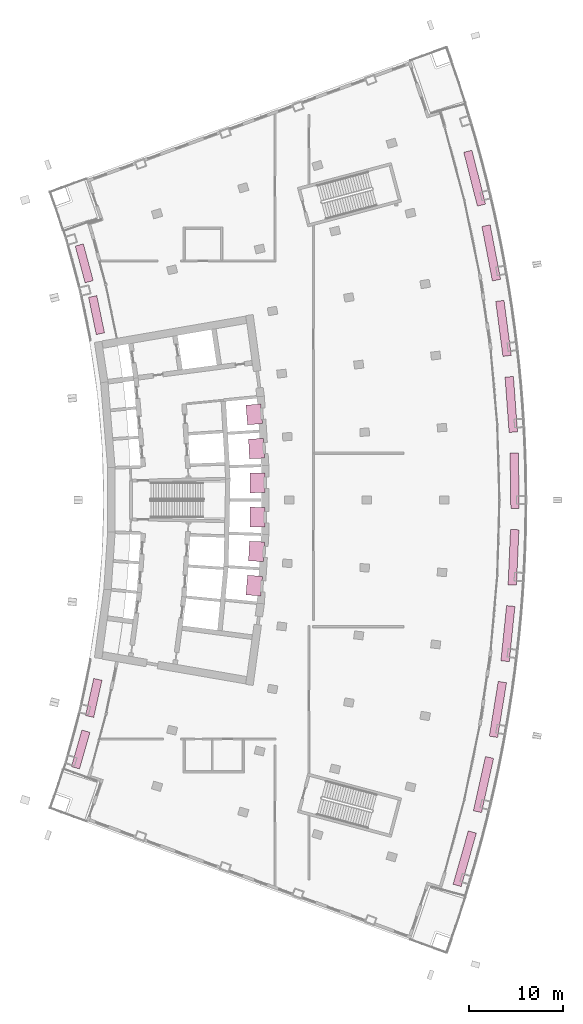
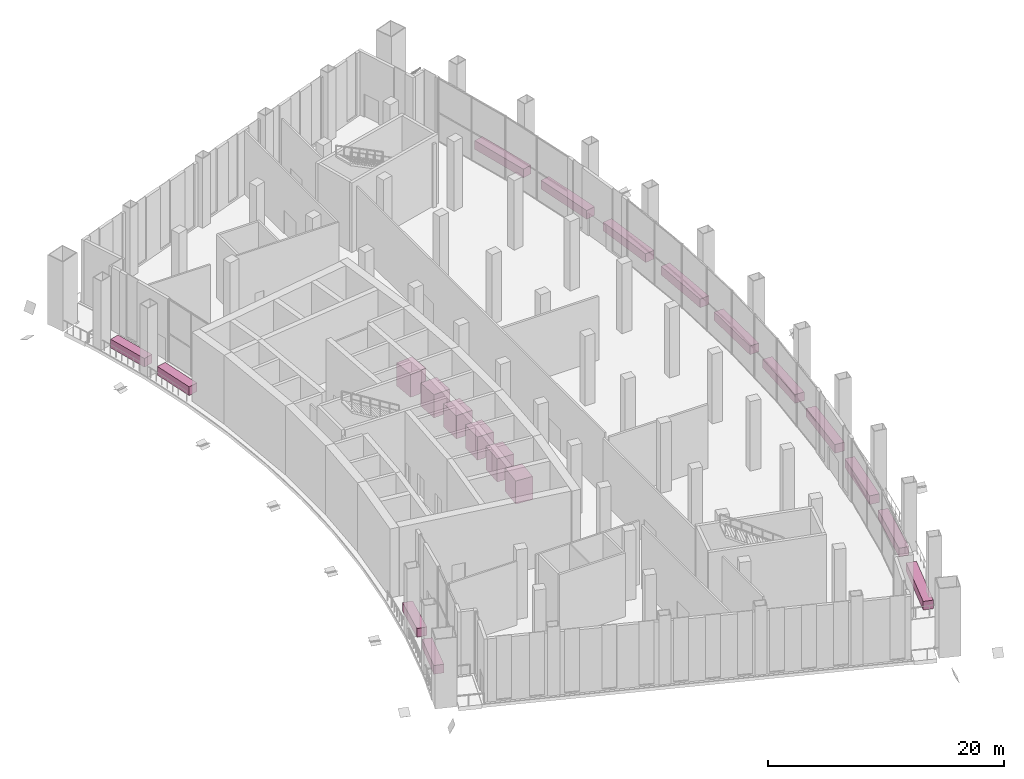
# One storey, part 18 of 18: 14 furnishings, 6 transport elements.
"""IFC4 building model written with IfcOpenShell, lengths in metres."""

from ifc_helpers import new_model, si_unit, direction, frame, origin, origin_2d, place, context, subcontext, project, spatial, rectangle, extrude, material, type_object, element, save


model = new_model("IFC4")

# Units and contexts
model_context = context("Model", 3, precision=1e-05, world=origin(), true_north=direction((0.0, 1.0)))
body_context = subcontext(model_context, "Body", "Model", "MODEL_VIEW")
ifc_project = project(units=[si_unit("LENGTHUNIT", "METRE"), si_unit("AREAUNIT", "SQUARE_METRE"), si_unit("VOLUMEUNIT", "CUBIC_METRE"), si_unit("PLANEANGLEUNIT", "RADIAN"), si_unit("MASSUNIT", "GRAM", prefix="KILO")], contexts=[model_context])

# Site, building, storey
site_placement = place(None, origin())
site = spatial("IfcSite", under=ifc_project, at=site_placement, CompositionType="ELEMENT")
building_placement = place(site_placement, origin())
building = spatial("IfcBuilding", under=site, at=building_placement, Name="Alderwake Tower", CompositionType="ELEMENT")
storey_placement = place(building_placement, frame((0.0, 0.0, 125.60009765625)))
storey = spatial("IfcBuildingStorey", under=building, at=storey_placement, Name="L31", CompositionType="ELEMENT", Elevation=125.60009765625)

# Transport elements
ifc_material_1 = material(Name="Stainless steel lift car", Category="steel")
transport_element_type = type_object("IfcTransportElementType", Name="Passenger lift car 2100 x 1600", PredefinedType="ELEVATOR", material=ifc_material_1)
for number, where, z_axis, x_axis, name in (
    (1, (32.07861328125, 51.86962890625, 0.050048828125), (0.0, 0.0, 1.0), (0.996697041371, -0.081209652884, 0.0), "HP1"),
    (2, (32.31640625, 55.517822265625, 0.050048828125), (0.0, 0.0, 1.0), (0.998809545265, -0.048780039854, 0.0), "HP2"),
    (3, (32.43505859375, 59.172119140625, 0.050048828125), (0.0, 0.0, 1.0), (0.999867163974, -0.016298908152, 0.0), "HP3"),
    (4, (32.43505859375, 62.827880859375, 0.050048828125), (0.0, 0.0, 1.0), (0.999867163974, 0.016298908152, 0.0), "HP4"),
    (5, (32.31640625, 66.482177734375, 0.050048828125), (0.0, 0.0, 1.0), (0.998809545265, 0.048780039854, 0.0), "HP5"),
    (6, (32.07861328125, 70.13037109375, 0.050048828125), (0.0, 0.0, 1.0), (0.996697041371, 0.081209652884, 0.0), "HP6"),
):
    element("IfcTransportElement", number, at=place(storey_placement, frame(where, z_axis=z_axis, x_axis=x_axis)), inside=storey, type_object=transport_element_type, Name=name, PredefinedType="ELEVATOR", context=body_context, shape_type="SweptSolid", body=[
        extrude(rectangle(XDim=1.60009765625, YDim=2.10009765625, at=origin_2d()), origin(), (0.0, 0.0, 1.0), 2.39990234375),
    ])

# Furnishings
ifc_material_2 = material(Name="Precast concrete C40/50 planter with soil", Category="concrete")
furnishing_element_type = type_object("IfcFurnishingElementType", Name="Planter box 900", material=ifc_material_2)
for number, where, z_axis, x_axis, name in (
    (7, (54.53173828125, 22.7392578125, 0.06005859375), (0.0, 0.0, 1.0), (0.961857413266, -0.273551305142, 0.0), "Planter"),
    (8, (56.533447265625, 30.647705078125, 0.06005859375), (0.0, 0.0, 1.0), (0.97616929119, -0.217010402833, 0.0), "Planter"),
    (9, (58.07080078125, 38.6591796875, 0.06005859375), (0.0, 0.0, 1.0), (0.987160809417, -0.15972957256, 0.0), "Planter"),
    (10, (59.138427734375, 46.74658203125, 0.06005859375), (0.0, 0.0, 1.0), (0.994794098387, -0.101905357138, 0.0), "Planter"),
    (11, (59.732666015625, 54.8828125, 0.06005859375), (0.0, 0.0, 1.0), (0.999043114028, -0.043736212829, 0.0), "Planter"),
    (12, (59.851806640625, 63.03955078125, 0.06005859375), (0.0, 0.0, 1.0), (0.999893655776, 0.014583454252, 0.0), "Planter"),
    (13, (59.494873046875, 71.189697265625, 0.06005859375), (0.0, 0.0, 1.0), (0.99734277946, 0.072851769087, 0.0), "Planter"),
    (14, (58.66357421875, 79.3046875, 0.06005859375), (0.0, 0.0, 1.0), (0.991399010319, 0.130873994122, 0.0), "Planter"),
    (15, (57.360595703125, 87.35791015625, 0.06005859375), (0.0, 0.0, 1.0), (0.982082922864, 0.188449283945, 0.0), "Planter"),
    (16, (55.590087890625, 95.321044921875, 0.06005859375), (0.0, 0.0, 1.0), (0.969425652232, 0.245385217149, 0.0), "Planter"),
):
    element("IfcFurnishingElement", number, at=place(storey_placement, frame(where, z_axis=z_axis, x_axis=x_axis)), inside=storey, type_object=furnishing_element_type, Name=name, ObjectType="PLANTER", context=body_context, shape_type="SweptSolid", body=[
        extrude(rectangle(XDim=0.89990234375, YDim=5.920166015625, at=origin_2d()), origin(), (0.0, 0.0, 1.0), 0.89990234375),
    ])
for number, where, z_axis, x_axis, name in (
    (17, (13.56640625, 34.389892578125, 0.06005859375), (0.0, 0.0, 1.0), (0.961857413266, -0.273551305142, 0.0), "Planter"),
    (18, (14.95849609375, 39.889892578125, 0.06005859375), (0.0, 0.0, 1.0), (0.97616929119, -0.217010402833, 0.0), "Planter"),
    (19, (15.25634765625, 80.722900390625, 0.06005859375), (0.0, 0.0, 1.0), (0.979230242507, 0.20275140483, 0.0), "Planter"),
    (20, (13.9443359375, 86.242919921875, 0.06005859375), (0.0, 0.0, 1.0), (0.965744448231, 0.259495010957, 0.0), "Planter"),
):
    element("IfcFurnishingElement", number, at=place(storey_placement, frame(where, z_axis=z_axis, x_axis=x_axis)), inside=storey, type_object=furnishing_element_type, Name=name, ObjectType="PLANTER", context=body_context, shape_type="SweptSolid", body=[
        extrude(rectangle(XDim=0.89990234375, YDim=4.056396484375, at=origin_2d()), origin(), (0.0, 0.0, 1.0), 0.89990234375),
    ])

save(model, "model.ifc")
